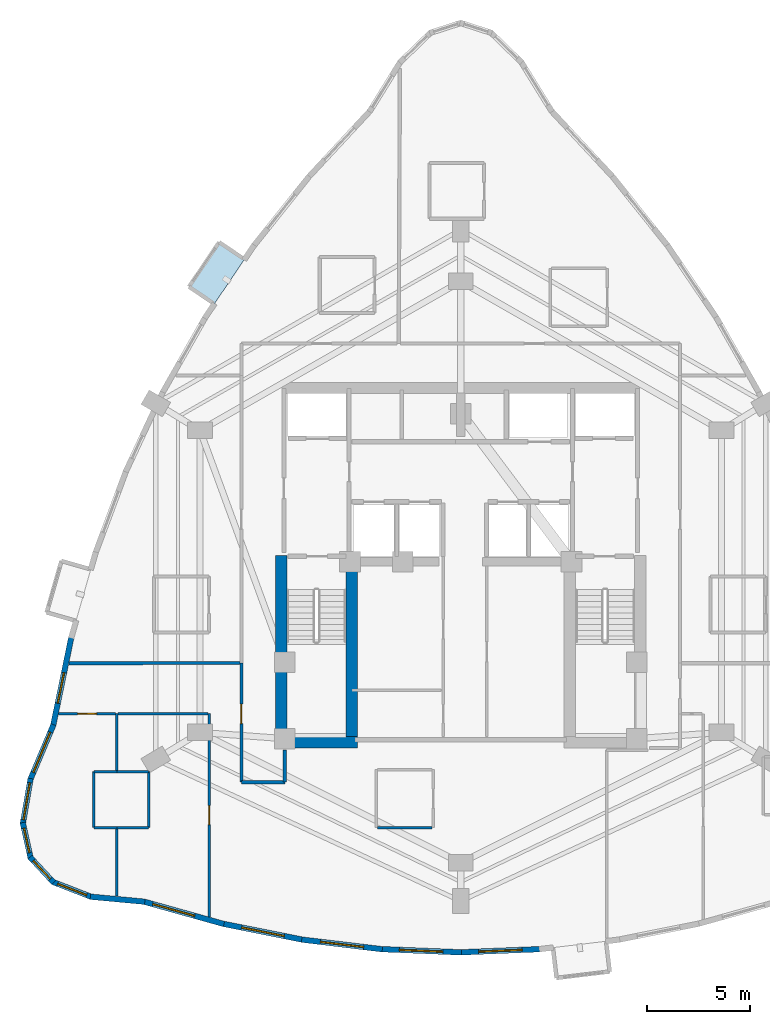
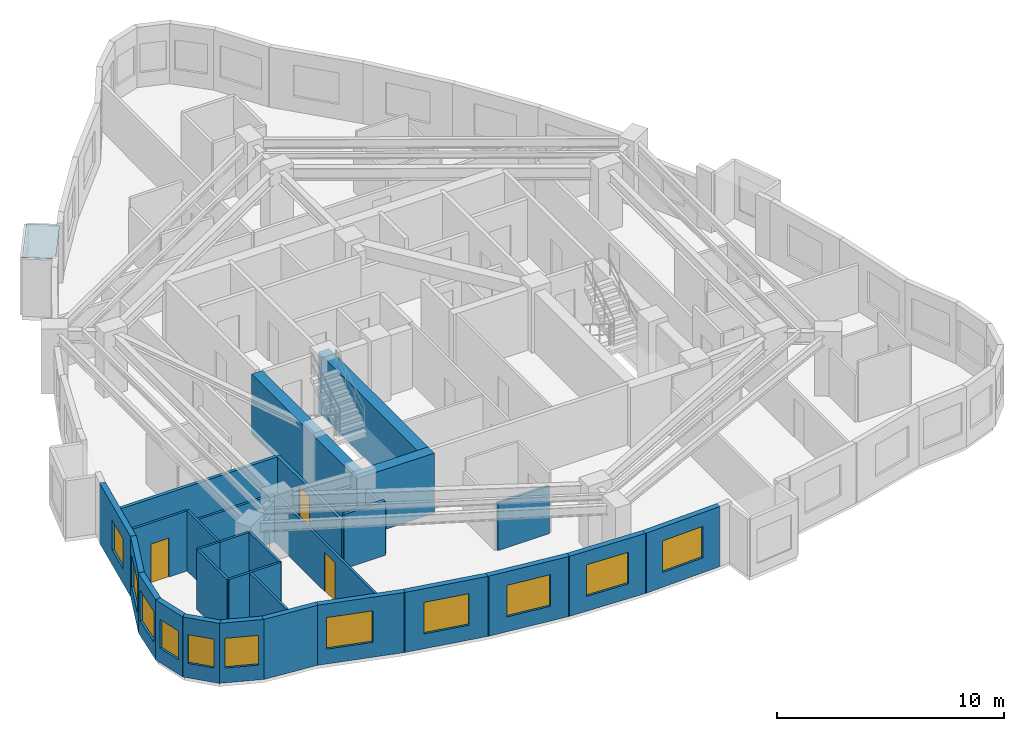
# One storey, part 4 of 10: 31 walls, 11 windows, 3 doors, 1 plate, 14 openings.
"""IFC4 building model written with IfcOpenShell, lengths in metres."""

from ifc_helpers import new_model, si_unit, direction, frame, frame_2d, origin, place, context, subcontext, project, spatial, polyline, rectangle, outline, extrude, material, layer, layer_set, type_object, element, fill, save


model = new_model("IFC4")

# Units and contexts
model_context = context("Model", 3, precision=1e-05, world=origin(), true_north=direction((0.0, 1.0)))
body_context = subcontext(model_context, "Body", "Model", "MODEL_VIEW")
ifc_project = project(units=[si_unit("LENGTHUNIT", "METRE"), si_unit("AREAUNIT", "SQUARE_METRE"), si_unit("VOLUMEUNIT", "CUBIC_METRE"), si_unit("PLANEANGLEUNIT", "RADIAN"), si_unit("MASSUNIT", "GRAM", prefix="KILO")], contexts=[model_context])

# Site, building, storey
site_placement = place(None, origin())
site = spatial("IfcSite", under=ifc_project, at=site_placement, CompositionType="ELEMENT")
building_placement = place(site_placement, origin())
building = spatial("IfcBuilding", under=site, at=building_placement, Name="Miruveldt Soraemaru", CompositionType="ELEMENT")
storey_placement = place(building_placement, frame((0.0, 0.0, 173.89990234375)))
storey = spatial("IfcBuildingStorey", under=building, at=storey_placement, Name="L48", CompositionType="ELEMENT", Elevation=173.89990234375)

# Plate
ifc_material_1 = material(Name="Standing-seam titanium-zinc sheet", Category="aluminium")
ifc_layer_1 = layer(ifc_material_1, 0.011962890625, Name="Standing-seam titanium-zinc sheet", Category="aluminium")
ifc_layer_set_1 = layer_set([ifc_layer_1], Name="Standing-seam titanium-zinc sheet")
plate_type = type_object("IfcPlateType", Name="PLT-ZINC-12", PredefinedType="SHEET", material=ifc_layer_set_1)
plate_placement = place(storey_placement, frame((0.0, 0.0, 3.085205078125)))
element("IfcPlate", 1, at=plate_placement, inside=storey, type_object=plate_type, Name="L48 Bay Window Zinc Hood Sheet 1", PredefinedType="SHEET", context=body_context, shape_type="SweptSolid", body=[
    extrude(outline(polyline([(33.548583984375, 58.6650390625), (32.090087890625, 56.512451171875), (30.864990234375, 57.342529296875), (32.3232421875, 59.4951171875), (33.548583984375, 58.6650390625)])), origin(), (0.0, 0.0, 1.0), 0.011962890625),
])

# Walls
ifc_material_2 = material(Name="Concrete C70/85 (70 MPa)", Category="concrete")
ifc_layer_2 = layer(ifc_material_2, 0.550048828125, Name="Concrete C70/85 (70 MPa)", Category="concrete")
ifc_layer_set_2 = layer_set([ifc_layer_2], Name="Concrete C70/85 (70 MPa)")
wall_type_1 = type_object("IfcWallType", Name="WALL-CW-550", PredefinedType="SHEAR", material=ifc_layer_set_2)
wall_1_placement = place(storey_placement, frame((35.050048828125, 35.324951171875, 0.0), z_axis=(0.0, 0.0, 1.0), x_axis=(1.0, 0.0, 0.0)))
element("IfcWall", 2, at=wall_1_placement, inside=storey, type_object=wall_type_1, Name="L48 Central Core Shear Wall S1", PredefinedType="SHEAR", context=body_context, shape_type="SweptSolid", body=[
    extrude(rectangle(XDim=3.949951171875, YDim=0.550048828125, at=frame_2d((1.97509765625, 0.0))), origin(), (0.0, 0.0, 1.0), 3.235107421875),
])
wall_2_placement = place(storey_placement, frame((35.324951171875, 35.050048828125, 0.0), z_axis=(0.0, 0.0, 1.0), x_axis=(0.0, 1.0, 0.0)))
element("IfcWall", 3, at=wall_2_placement, inside=storey, type_object=wall_type_1, Name="L48 Central Core Shear Wall W1", PredefinedType="SHEAR", context=body_context, shape_type="SweptSolid", body=[
    extrude(rectangle(XDim=9.300048828125, YDim=0.550048828125, at=frame_2d((4.64990234375, 0.0))), origin(), (0.0, 0.0, 1.0), 3.235107421875),
])
wall_3_placement = place(storey_placement, frame((38.72509765625, 35.39990234375, 0.0), z_axis=(0.0, 0.0, 1.0), x_axis=(0.0, 1.0, 0.0)))
element("IfcWall", 4, at=wall_3_placement, inside=storey, type_object=wall_type_1, Name="L48 Central Core Shear Wall SW-INT", PredefinedType="SHEAR", context=body_context, shape_type="SweptSolid", body=[
    extrude(rectangle(XDim=8.9501953125, YDim=0.550048828125, at=frame_2d((4.47509765625, 0.0))), origin(), (0.0, 0.0, 1.0), 3.235107421875),
])

# Wall, opening, window
ifc_material_3 = material(Name="Precast concrete C45/55 (45 MPa)", Category="concrete")
ifc_layer_3 = layer(ifc_material_3, 0.27001953125, Name="Precast concrete C45/55 (45 MPa)", Category="concrete")
ifc_layer_set_3 = layer_set([ifc_layer_3], Name="Precast concrete C45/55 (45 MPa)")
wall_type_2 = type_object("IfcWallType", Name="WALL-EXT-PC270", PredefinedType="SOLIDWALL", material=ifc_layer_set_3)
wall_4_placement = place(storey_placement, frame((25.18310546875, 40.4267578125, 0.0), z_axis=(0.0, 0.0, 1.0), x_axis=(-0.20160132196, -0.979467665104, 0.0)))
wall_4 = element("IfcWall", 5, at=wall_4_placement, inside=storey, type_object=wall_type_2, Name="L48 Precast Concrete Facade Wall 14", PredefinedType="SOLIDWALL", context=body_context, shape_type="SweptSolid", body=[
    extrude(rectangle(XDim=4.40576171875, YDim=0.27001953125, at=frame_2d((2.202880859375, 0.0))), origin(), (0.0, 0.0, 1.0), 3.235107421875),
])
opening_1_placement = place(wall_4_placement, frame((1.77587890625, 0.0, 0.800048828125)))
opening_1 = element("IfcOpeningElement", 6, at=opening_1_placement, cuts=wall_4, Name="Opening WN-3", PredefinedType="OPENING", context=body_context, shape_type="SweptSolid", body=[
    extrude(rectangle(XDim=1.5, YDim=1.60009765625, at=frame_2d((0.75, 0.800048828125))), frame((0.0, 0.14501953125, 0.0), z_axis=(0.0, -1.0, 0.0), x_axis=(1.0, 0.0, 0.0)), (0.0, 0.0, 1.0), 0.2900390625),
])
ifc_material_4 = material(Name="Triple low-e insulated glazing", Category="glass")
window_type_1 = type_object("IfcWindowType", Name="WIN-PUNCH-1500x1600", PartitioningType="SINGLE_PANEL", PredefinedType="WINDOW", material=ifc_material_4)
window_1_placement = place(opening_1_placement, origin())
window_1 = element("IfcWindow", 7, at=window_1_placement, inside=storey, type_object=window_type_1, Name="L48 Punched Triple-Glazed Window 14.1", OverallHeight=1.60009765625, OverallWidth=1.5, PartitioningType="SINGLE_PANEL", PredefinedType="WINDOW", context=body_context, shape_type="SweptSolid", body=[
    extrude(rectangle(XDim=1.5, YDim=1.60009765625, at=frame_2d((0.75, 0.800048828125))), frame((0.0, 0.030029296875, 0.0), z_axis=(0.0, -1.0, 0.0), x_axis=(1.0, 0.0, 0.0)), (0.0, 0.0, 1.0), 0.06005859375),
])
fill(opening_1, window_1)

wall_5_placement = place(storey_placement, frame((24.315673828125, 36.177978515625, 0.0), z_axis=(0.0, 0.0, 1.0), x_axis=(-0.388603247953, -0.921405185399, 0.0)))
wall_5 = element("IfcWall", 8, at=wall_5_placement, inside=storey, type_object=wall_type_2, Name="L48 Precast Concrete Facade Wall 15", PredefinedType="SOLIDWALL", context=body_context, shape_type="SweptSolid", body=[
    extrude(rectangle(XDim=2.89697265625, YDim=0.27001953125, at=frame_2d((1.448486328125, 0.0))), origin(), (0.0, 0.0, 1.0), 3.235107421875),
])
opening_2_placement = place(wall_5_placement, frame((0.39892578125, 0.0, 0.800048828125)))
opening_2 = element("IfcOpeningElement", 9, at=opening_2_placement, cuts=wall_5, Name="Opening WN-1", PredefinedType="OPENING", context=body_context, shape_type="SweptSolid", body=[
    extrude(rectangle(XDim=2.10009765625, YDim=1.699951171875, at=frame_2d((1.050048828125, 0.85009765625))), frame((0.0, 0.14501953125, 0.0), z_axis=(0.0, -1.0, 0.0), x_axis=(1.0, 0.0, 0.0)), (0.0, 0.0, 1.0), 0.2900390625),
])
window_type_2 = type_object("IfcWindowType", Name="WIN-PUNCH-2100x1700", PartitioningType="SINGLE_PANEL", PredefinedType="WINDOW", material=ifc_material_4)
window_2_placement = place(opening_2_placement, origin())
window_2 = element("IfcWindow", 10, at=window_2_placement, inside=storey, type_object=window_type_2, Name="L48 Punched Triple-Glazed Window 15.1", OverallHeight=1.699951171875, OverallWidth=2.10009765625, PartitioningType="SINGLE_PANEL", PredefinedType="WINDOW", context=body_context, shape_type="SweptSolid", body=[
    extrude(rectangle(XDim=2.10009765625, YDim=1.699951171875, at=frame_2d((1.050048828125, 0.85009765625))), frame((0.0, 0.030029296875, 0.0), z_axis=(0.0, -1.0, 0.0), x_axis=(1.0, 0.0, 0.0)), (0.0, 0.0, 1.0), 0.06005859375),
])
fill(opening_2, window_2)

wall_6_placement = place(storey_placement, frame((23.20947265625, 33.57568359375, 0.0), z_axis=(0.0, 0.0, 1.0), x_axis=(-0.169397854445, -0.985547749685, 0.0)))
wall_6 = element("IfcWall", 11, at=wall_6_placement, inside=storey, type_object=wall_type_2, Name="L48 Precast Concrete Facade Wall 16", PredefinedType="SOLIDWALL", context=body_context, shape_type="SweptSolid", body=[
    extrude(rectangle(XDim=2.232421875, YDim=0.27001953125, at=frame_2d((1.1162109375, 0.0))), origin(), (0.0, 0.0, 1.0), 3.235107421875),
])
opening_3_placement = place(wall_6_placement, frame((0.216064453125, 0.0, 0.800048828125)))
opening_3 = element("IfcOpeningElement", 12, at=opening_3_placement, cuts=wall_6, Name="Opening WN-2", PredefinedType="OPENING", context=body_context, shape_type="SweptSolid", body=[
    extrude(rectangle(XDim=1.800048828125, YDim=1.64990234375, at=frame_2d((0.89990234375, 0.824951171875))), frame((0.0, 0.14501953125, 0.0), z_axis=(0.0, -1.0, 0.0), x_axis=(1.0, 0.0, 0.0)), (0.0, 0.0, 1.0), 0.2900390625),
])
window_type_3 = type_object("IfcWindowType", Name="WIN-PUNCH-1800x1650", PartitioningType="SINGLE_PANEL", PredefinedType="WINDOW", material=ifc_material_4)
window_3_placement = place(opening_3_placement, origin())
window_3 = element("IfcWindow", 13, at=window_3_placement, inside=storey, type_object=window_type_3, Name="L48 Punched Triple-Glazed Window 16.1", OverallHeight=1.64990234375, OverallWidth=1.800048828125, PartitioningType="SINGLE_PANEL", PredefinedType="WINDOW", context=body_context, shape_type="SweptSolid", body=[
    extrude(rectangle(XDim=1.800048828125, YDim=1.64990234375, at=frame_2d((0.89990234375, 0.824951171875))), frame((0.0, 0.030029296875, 0.0), z_axis=(0.0, -1.0, 0.0), x_axis=(1.0, 0.0, 0.0)), (0.0, 0.0, 1.0), 0.06005859375),
])
fill(opening_3, window_3)

wall_7_placement = place(storey_placement, frame((22.82958984375, 31.444091796875, 0.0), z_axis=(0.0, 0.0, 1.0), x_axis=(0.215862834364, -0.976423697347, 0.0)))
wall_7 = element("IfcWall", 14, at=wall_7_placement, inside=storey, type_object=wall_type_2, Name="L48 Precast Concrete Facade Wall 17", PredefinedType="SOLIDWALL", context=body_context, shape_type="SweptSolid", body=[
    extrude(rectangle(XDim=1.767822265625, YDim=0.27001953125, at=frame_2d((0.8837890625, 0.0))), origin(), (0.0, 0.0, 1.0), 3.235107421875),
])
opening_4_placement = place(wall_7_placement, frame((0.283935546875, 0.0, 0.780029296875)))
opening_4 = element("IfcOpeningElement", 15, at=opening_4_placement, cuts=wall_7, Name="Opening WN-4", PredefinedType="OPENING", context=body_context, shape_type="SweptSolid", body=[
    extrude(rectangle(XDim=1.199951171875, YDim=1.550048828125, at=frame_2d((0.60009765625, 0.77490234375))), frame((0.0, 0.14501953125, 0.0), z_axis=(0.0, -1.0, 0.0), x_axis=(1.0, 0.0, 0.0)), (0.0, 0.0, 1.0), 0.2900390625),
])
window_type_4 = type_object("IfcWindowType", Name="WIN-PUNCH-1200x1550", PartitioningType="SINGLE_PANEL", PredefinedType="WINDOW", material=ifc_material_4)
window_4_placement = place(opening_4_placement, origin())
window_4 = element("IfcWindow", 16, at=window_4_placement, inside=storey, type_object=window_type_4, Name="L48 Punched Triple-Glazed Window 17.1", OverallHeight=1.550048828125, OverallWidth=1.199951171875, PartitioningType="SINGLE_PANEL", PredefinedType="WINDOW", context=body_context, shape_type="SweptSolid", body=[
    extrude(rectangle(XDim=1.199951171875, YDim=1.550048828125, at=frame_2d((0.60009765625, 0.77490234375))), frame((0.0, 0.030029296875, 0.0), z_axis=(0.0, -1.0, 0.0), x_axis=(1.0, 0.0, 0.0)), (0.0, 0.0, 1.0), 0.06005859375),
])
fill(opening_4, window_4)

wall_8_placement = place(storey_placement, frame((23.1796875, 29.778076171875, 0.0), z_axis=(0.0, 0.0, 1.0), x_axis=(0.68010098508, -0.733118442064, 0.0)))
wall_8 = element("IfcWall", 17, at=wall_8_placement, inside=storey, type_object=wall_type_2, Name="L48 Precast Concrete Facade Wall 18", PredefinedType="SOLIDWALL", context=body_context, shape_type="SweptSolid", body=[
    extrude(rectangle(XDim=1.685302734375, YDim=0.27001953125, at=frame_2d((0.8427734375, 0.0))), origin(), (0.0, 0.0, 1.0), 3.235107421875),
])
opening_5_placement = place(wall_8_placement, frame((0.241943359375, 0.0, 0.780029296875)))
opening_5 = element("IfcOpeningElement", 18, at=opening_5_placement, cuts=wall_8, Name="Opening WN-4", PredefinedType="OPENING", context=body_context, shape_type="SweptSolid", body=[
    extrude(rectangle(XDim=1.199951171875, YDim=1.550048828125, at=frame_2d((0.60009765625, 0.77490234375))), frame((0.0, 0.14501953125, 0.0), z_axis=(0.0, -1.0, 0.0), x_axis=(1.0, 0.0, 0.0)), (0.0, 0.0, 1.0), 0.2900390625),
])
window_5_placement = place(opening_5_placement, origin())
window_5 = element("IfcWindow", 19, at=window_5_placement, inside=storey, type_object=window_type_4, Name="L48 Punched Triple-Glazed Window 18.1", OverallHeight=1.550048828125, OverallWidth=1.199951171875, PartitioningType="SINGLE_PANEL", PredefinedType="WINDOW", context=body_context, shape_type="SweptSolid", body=[
    extrude(rectangle(XDim=1.199951171875, YDim=1.550048828125, at=frame_2d((0.60009765625, 0.77490234375))), frame((0.0, 0.030029296875, 0.0), z_axis=(0.0, -1.0, 0.0), x_axis=(1.0, 0.0, 0.0)), (0.0, 0.0, 1.0), 0.06005859375),
])
fill(opening_5, window_5)

wall_9_placement = place(storey_placement, frame((24.26953125, 28.5810546875, 0.0), z_axis=(0.0, 0.0, 1.0), x_axis=(0.932267974852, -0.361768466101, 0.0)))
wall_9 = element("IfcWall", 20, at=wall_9_placement, inside=storey, type_object=wall_type_2, Name="L48 Precast Concrete Facade Wall 19", PredefinedType="SOLIDWALL", context=body_context, shape_type="SweptSolid", body=[
    extrude(rectangle(XDim=2.033935546875, YDim=0.27001953125, at=frame_2d((1.01708984375, 0.0))), origin(), (0.0, 0.0, 1.0), 3.235107421875),
])
opening_6_placement = place(wall_9_placement, frame((0.26708984375, 0.0, 0.800048828125)))
opening_6 = element("IfcOpeningElement", 21, at=opening_6_placement, cuts=wall_9, Name="Opening WN-3", PredefinedType="OPENING", context=body_context, shape_type="SweptSolid", body=[
    extrude(rectangle(XDim=1.5, YDim=1.60009765625, at=frame_2d((0.75, 0.800048828125))), frame((0.0, 0.14501953125, 0.0), z_axis=(0.0, -1.0, 0.0), x_axis=(1.0, 0.0, 0.0)), (0.0, 0.0, 1.0), 0.2900390625),
])
window_6_placement = place(opening_6_placement, origin())
window_6 = element("IfcWindow", 22, at=window_6_placement, inside=storey, type_object=window_type_1, Name="L48 Punched Triple-Glazed Window 19.1", OverallHeight=1.60009765625, OverallWidth=1.5, PartitioningType="SINGLE_PANEL", PredefinedType="WINDOW", context=body_context, shape_type="SweptSolid", body=[
    extrude(rectangle(XDim=1.5, YDim=1.60009765625, at=frame_2d((0.75, 0.800048828125))), frame((0.0, 0.030029296875, 0.0), z_axis=(0.0, -1.0, 0.0), x_axis=(1.0, 0.0, 0.0)), (0.0, 0.0, 1.0), 0.06005859375),
])
fill(opening_6, window_6)

# Wall
wall_10_placement = place(storey_placement, frame((26.09814453125, 27.861083984375, 0.0), z_axis=(0.0, 0.0, 1.0), x_axis=(0.995763558501, -0.091950723555, 0.0)))
element("IfcWall", 23, at=wall_10_placement, inside=storey, type_object=wall_type_2, Name="L48 Precast Concrete Facade Wall 20", PredefinedType="SOLIDWALL", context=body_context, shape_type="SweptSolid", body=[
    extrude(rectangle(XDim=2.64453125, YDim=0.27001953125, at=frame_2d((1.322265625, 0.0))), origin(), (0.0, 0.0, 1.0), 3.235107421875),
])

# Wall, opening, window
wall_11_placement = place(storey_placement, frame((28.662841796875, 27.630615234375, 0.0), z_axis=(0.0, 0.0, 1.0), x_axis=(0.962966528266, -0.269620966245, 0.0)))
wall_11 = element("IfcWall", 24, at=wall_11_placement, inside=storey, type_object=wall_type_2, Name="L48 Precast Concrete Facade Wall 21", PredefinedType="SOLIDWALL", context=body_context, shape_type="SweptSolid", body=[
    extrude(rectangle(XDim=4.04296875, YDim=0.27001953125, at=frame_2d((2.021484375, 0.0))), origin(), (0.0, 0.0, 1.0), 3.235107421875),
])
opening_7_placement = place(wall_11_placement, frame((0.467041015625, 0.0, 0.800048828125)))
opening_7 = element("IfcOpeningElement", 25, at=opening_7_placement, cuts=wall_11, Name="Opening WN-1", PredefinedType="OPENING", context=body_context, shape_type="SweptSolid", body=[
    extrude(rectangle(XDim=2.10009765625, YDim=1.699951171875, at=frame_2d((1.050048828125, 0.85009765625))), frame((0.0, 0.14501953125, 0.0), z_axis=(0.0, -1.0, 0.0), x_axis=(1.0, 0.0, 0.0)), (0.0, 0.0, 1.0), 0.2900390625),
])
window_7_placement = place(opening_7_placement, origin())
window_7 = element("IfcWindow", 26, at=window_7_placement, inside=storey, type_object=window_type_2, Name="L48 Punched Triple-Glazed Window 21.1", OverallHeight=1.699951171875, OverallWidth=2.10009765625, PartitioningType="SINGLE_PANEL", PredefinedType="WINDOW", context=body_context, shape_type="SweptSolid", body=[
    extrude(rectangle(XDim=2.10009765625, YDim=1.699951171875, at=frame_2d((1.050048828125, 0.85009765625))), frame((0.0, 0.030029296875, 0.0), z_axis=(0.0, -1.0, 0.0), x_axis=(1.0, 0.0, 0.0)), (0.0, 0.0, 1.0), 0.06005859375),
])
fill(opening_7, window_7)

wall_12_placement = place(storey_placement, frame((32.488037109375, 26.556884765625, 0.0), z_axis=(0.0, 0.0, 1.0), x_axis=(0.980573582327, -0.196151598621, 0.0)))
wall_12 = element("IfcWall", 27, at=wall_12_placement, inside=storey, type_object=wall_type_2, Name="L48 Precast Concrete Facade Wall 22", PredefinedType="SOLIDWALL", context=body_context, shape_type="SweptSolid", body=[
    extrude(rectangle(XDim=3.9716796875, YDim=0.27001953125, at=frame_2d((1.98583984375, 0.0))), origin(), (0.0, 0.0, 1.0), 3.235107421875),
])
opening_8_placement = place(wall_12_placement, frame((0.93603515625, 0.0, 0.800048828125)))
opening_8 = element("IfcOpeningElement", 28, at=opening_8_placement, cuts=wall_12, Name="Opening WN-1", PredefinedType="OPENING", context=body_context, shape_type="SweptSolid", body=[
    extrude(rectangle(XDim=2.10009765625, YDim=1.699951171875, at=frame_2d((1.050048828125, 0.85009765625))), frame((0.0, 0.14501953125, 0.0), z_axis=(0.0, -1.0, 0.0), x_axis=(1.0, 0.0, 0.0)), (0.0, 0.0, 1.0), 0.2900390625),
])
window_8_placement = place(opening_8_placement, origin())
window_8 = element("IfcWindow", 29, at=window_8_placement, inside=storey, type_object=window_type_2, Name="L48 Punched Triple-Glazed Window 22.1", OverallHeight=1.699951171875, OverallWidth=2.10009765625, PartitioningType="SINGLE_PANEL", PredefinedType="WINDOW", context=body_context, shape_type="SweptSolid", body=[
    extrude(rectangle(XDim=2.10009765625, YDim=1.699951171875, at=frame_2d((1.050048828125, 0.85009765625))), frame((0.0, 0.030029296875, 0.0), z_axis=(0.0, -1.0, 0.0), x_axis=(1.0, 0.0, 0.0)), (0.0, 0.0, 1.0), 0.06005859375),
])
fill(opening_8, window_8)

wall_13_placement = place(storey_placement, frame((36.3134765625, 25.788818359375, 0.0), z_axis=(0.0, 0.0, 1.0), x_axis=(0.992874777232, -0.11916239649, 0.0)))
wall_13 = element("IfcWall", 30, at=wall_13_placement, inside=storey, type_object=wall_type_2, Name="L48 Precast Concrete Facade Wall 23", PredefinedType="SOLIDWALL", context=body_context, shape_type="SweptSolid", body=[
    extrude(rectangle(XDim=3.923583984375, YDim=0.27001953125, at=frame_2d((1.9619140625, 0.0))), origin(), (0.0, 0.0, 1.0), 3.235107421875),
])
opening_9_placement = place(wall_13_placement, frame((0.910888671875, 0.0, 0.800048828125)))
opening_9 = element("IfcOpeningElement", 31, at=opening_9_placement, cuts=wall_13, Name="Opening WN-1", PredefinedType="OPENING", context=body_context, shape_type="SweptSolid", body=[
    extrude(rectangle(XDim=2.10009765625, YDim=1.699951171875, at=frame_2d((1.050048828125, 0.85009765625))), frame((0.0, 0.14501953125, 0.0), z_axis=(0.0, -1.0, 0.0), x_axis=(1.0, 0.0, 0.0)), (0.0, 0.0, 1.0), 0.2900390625),
])
window_9_placement = place(opening_9_placement, origin())
window_9 = element("IfcWindow", 32, at=window_9_placement, inside=storey, type_object=window_type_2, Name="L48 Punched Triple-Glazed Window 23.1", OverallHeight=1.699951171875, OverallWidth=2.10009765625, PartitioningType="SINGLE_PANEL", PredefinedType="WINDOW", context=body_context, shape_type="SweptSolid", body=[
    extrude(rectangle(XDim=2.10009765625, YDim=1.699951171875, at=frame_2d((1.050048828125, 0.85009765625))), frame((0.0, 0.030029296875, 0.0), z_axis=(0.0, -1.0, 0.0), x_axis=(1.0, 0.0, 0.0)), (0.0, 0.0, 1.0), 0.06005859375),
])
fill(opening_9, window_9)

wall_14_placement = place(storey_placement, frame((40.13916015625, 25.326904296875, 0.0), z_axis=(0.0, 0.0, 1.0), x_axis=(0.999201658774, -0.039950533202, 0.0)))
wall_14 = element("IfcWall", 33, at=wall_14_placement, inside=storey, type_object=wall_type_2, Name="L48 Precast Concrete Facade Wall 24", PredefinedType="SOLIDWALL", context=body_context, shape_type="SweptSolid", body=[
    extrude(rectangle(XDim=3.89892578125, YDim=0.27001953125, at=frame_2d((1.949462890625, 0.0))), origin(), (0.0, 0.0, 1.0), 3.235107421875),
])
opening_10_placement = place(wall_14_placement, frame((0.89892578125, 0.0, 0.800048828125)))
opening_10 = element("IfcOpeningElement", 34, at=opening_10_placement, cuts=wall_14, Name="Opening WN-1", PredefinedType="OPENING", context=body_context, shape_type="SweptSolid", body=[
    extrude(rectangle(XDim=2.10009765625, YDim=1.699951171875, at=frame_2d((1.050048828125, 0.85009765625))), frame((0.0, 0.14501953125, 0.0), z_axis=(0.0, -1.0, 0.0), x_axis=(1.0, 0.0, 0.0)), (0.0, 0.0, 1.0), 0.2900390625),
])
window_10_placement = place(opening_10_placement, origin())
window_10 = element("IfcWindow", 35, at=window_10_placement, inside=storey, type_object=window_type_2, Name="L48 Punched Triple-Glazed Window 24.1", OverallHeight=1.699951171875, OverallWidth=2.10009765625, PartitioningType="SINGLE_PANEL", PredefinedType="WINDOW", context=body_context, shape_type="SweptSolid", body=[
    extrude(rectangle(XDim=2.10009765625, YDim=1.699951171875, at=frame_2d((1.050048828125, 0.85009765625))), frame((0.0, 0.030029296875, 0.0), z_axis=(0.0, -1.0, 0.0), x_axis=(1.0, 0.0, 0.0)), (0.0, 0.0, 1.0), 0.06005859375),
])
fill(opening_10, window_10)

wall_15_placement = place(storey_placement, frame((43.965087890625, 25.171142578125, 0.0), z_axis=(0.0, 0.0, 1.0), x_axis=(0.999201658774, 0.039950533202, 0.0)))
wall_15 = element("IfcWall", 36, at=wall_15_placement, inside=storey, type_object=wall_type_2, Name="L48 Precast Concrete Facade Wall 25", PredefinedType="SOLIDWALL", context=body_context, shape_type="SweptSolid", body=[
    extrude(rectangle(XDim=3.89892578125, YDim=0.27001953125, at=frame_2d((1.949462890625, 0.0))), origin(), (0.0, 0.0, 1.0), 3.235107421875),
])
opening_11_placement = place(wall_15_placement, frame((0.89892578125, 0.0, 0.800048828125)))
opening_11 = element("IfcOpeningElement", 37, at=opening_11_placement, cuts=wall_15, Name="Opening WN-1", PredefinedType="OPENING", context=body_context, shape_type="SweptSolid", body=[
    extrude(rectangle(XDim=2.10009765625, YDim=1.699951171875, at=frame_2d((1.050048828125, 0.85009765625))), frame((0.0, 0.14501953125, 0.0), z_axis=(0.0, -1.0, 0.0), x_axis=(1.0, 0.0, 0.0)), (0.0, 0.0, 1.0), 0.2900390625),
])
window_11_placement = place(opening_11_placement, origin())
window_11 = element("IfcWindow", 38, at=window_11_placement, inside=storey, type_object=window_type_2, Name="L48 Punched Triple-Glazed Window 25.1", OverallHeight=1.699951171875, OverallWidth=2.10009765625, PartitioningType="SINGLE_PANEL", PredefinedType="WINDOW", context=body_context, shape_type="SweptSolid", body=[
    extrude(rectangle(XDim=2.10009765625, YDim=1.699951171875, at=frame_2d((1.050048828125, 0.85009765625))), frame((0.0, 0.030029296875, 0.0), z_axis=(0.0, -1.0, 0.0), x_axis=(1.0, 0.0, 0.0)), (0.0, 0.0, 1.0), 0.06005859375),
])
fill(opening_11, window_11)

# Wall, opening, door
ifc_material_5 = material(Name="Gypsum plasterboard lining", Category="gypsum")
ifc_layer_4 = layer(ifc_material_5, 0.1201171875, Name="Gypsum plasterboard lining", Category="gypsum")
ifc_layer_set_4 = layer_set([ifc_layer_4], Name="Gypsum plasterboard lining")
wall_type_3 = type_object("IfcWallType", Name="WALL-INT-P120", PredefinedType="PARTITIONING", material=ifc_layer_set_4)
wall_16_placement = place(storey_placement, frame((31.8369140625, 36.7109375, 0.0), z_axis=(0.0, 0.0, 1.0), x_axis=(0.001939426458, -0.999998119311, 0.0)))
wall_16 = element("IfcWall", 39, at=wall_16_placement, inside=storey, type_object=wall_type_3, Name="L48 Partition Wall 32", PredefinedType="PARTITIONING", context=body_context, shape_type="SweptSolid", body=[
    extrude(rectangle(XDim=9.81884765625, YDim=0.1201171875, at=frame_2d((4.909423828125, 0.0))), origin(), (0.0, 0.0, 1.0), 2.572998046875),
])
opening_12_placement = place(wall_16_placement, frame((4.449951171875, 0.0, 0.0)))
opening_12 = element("IfcOpeningElement", 40, at=opening_12_placement, cuts=wall_16, Name="Opening D3A", PredefinedType="OPENING", context=body_context, shape_type="SweptSolid", body=[
    extrude(rectangle(XDim=0.919921875, YDim=2.10009765625, at=frame_2d((0.4599609375, 1.050048828125))), frame((0.0, 0.070068359375, 0.0), z_axis=(0.0, -1.0, 0.0), x_axis=(1.0, 0.0, 0.0)), (0.0, 0.0, 1.0), 0.14013671875),
])
ifc_material_6 = material(Name="Anodised aluminium EN AW-6063 T6", Category="aluminium")
door_type_1 = type_object("IfcDoorType", Name="DOOR-INT-920", OperationType="NOTDEFINED", PredefinedType="DOOR", material=ifc_material_6)
door_1_placement = place(opening_12_placement, origin())
door_1 = element("IfcDoor", 41, at=door_1_placement, inside=storey, type_object=door_type_1, Name="L48 Unit 4803 BD2 Door", OperationType="SINGLE_SWING_RIGHT", OverallHeight=2.10009765625, OverallWidth=0.919921875, PredefinedType="DOOR", context=body_context, shape_type="SweptSolid", body=[
    extrude(rectangle(XDim=0.919921875, YDim=2.10009765625, at=frame_2d((0.4599609375, 1.050048828125))), frame((0.0, 0.02490234375, 0.0), z_axis=(0.0, -1.0, 0.0), x_axis=(1.0, 0.0, 0.0)), (0.0, 0.0, 1.0), 0.050048828125),
])
fill(opening_12, door_1)

wall_17_placement = place(storey_placement, frame((24.569091796875, 36.697021484375, 0.0), z_axis=(0.0, 0.0, 1.0), x_axis=(0.999987187479, 0.005062102104, 0.0)))
wall_17 = element("IfcWall", 42, at=wall_17_placement, inside=storey, type_object=wall_type_3, Name="L48 Partition Wall 30", PredefinedType="PARTITIONING", context=body_context, shape_type="SweptSolid", body=[
    extrude(rectangle(XDim=2.7490234375, YDim=0.1201171875, at=frame_2d((1.37451171875, 0.0))), origin(), (0.0, 0.0, 1.0), 3.235107421875),
])
opening_13_placement = place(wall_17_placement, frame((0.9150390625, 0.0, 0.0)))
opening_13 = element("IfcOpeningElement", 43, at=opening_13_placement, cuts=wall_17, Name="Opening D3A", PredefinedType="OPENING", context=body_context, shape_type="SweptSolid", body=[
    extrude(rectangle(XDim=0.919921875, YDim=2.10009765625, at=frame_2d((0.4599609375, 1.050048828125))), frame((0.0, 0.070068359375, 0.0), z_axis=(0.0, -1.0, 0.0), x_axis=(1.0, 0.0, 0.0)), (0.0, 0.0, 1.0), 0.14013671875),
])
door_2_placement = place(opening_13_placement, origin())
door_2 = element("IfcDoor", 44, at=door_2_placement, inside=storey, type_object=door_type_1, Name="L48 Unit 4803 BD1 Door", OperationType="SINGLE_SWING_LEFT", OverallHeight=2.10009765625, OverallWidth=0.919921875, PredefinedType="DOOR", context=body_context, shape_type="SweptSolid", body=[
    extrude(rectangle(XDim=0.919921875, YDim=2.10009765625, at=frame_2d((0.4599609375, 1.050048828125))), frame((0.0, 0.02490234375, 0.0), z_axis=(0.0, -1.0, 0.0), x_axis=(1.0, 0.0, 0.0)), (0.0, 0.0, 1.0), 0.050048828125),
])
fill(opening_13, door_2)

# Walls
wall_18_placement = place(storey_placement, frame((27.43798828125, 36.7109375, 0.0), z_axis=(0.0, 0.0, 1.0), x_axis=(1.0, 0.0, 0.0)))
element("IfcWall", 45, at=wall_18_placement, inside=storey, type_object=wall_type_3, Name="L48 Partition Wall 31", PredefinedType="PARTITIONING", context=body_context, shape_type="SweptSolid", body=[
    extrude(rectangle(XDim=4.339111328125, YDim=0.1201171875, at=frame_2d((2.16943359375, 0.0))), origin(), (0.0, 0.0, 1.0), 2.572998046875),
])
wall_19_placement = place(storey_placement, frame((27.384033203125, 27.89306640625, 0.0), z_axis=(0.0, 0.0, 1.0), x_axis=(-0.001842839271, 0.99999830197, 0.0)))
element("IfcWall", 46, at=wall_19_placement, inside=storey, type_object=wall_type_3, Name="L48 Partition Wall 34", PredefinedType="PARTITIONING", context=body_context, shape_type="SweptSolid", body=[
    extrude(rectangle(XDim=3.31201171875, YDim=0.1201171875, at=frame_2d((1.656005859375, 0.0))), origin(), (0.0, 0.0, 1.0), 3.235107421875),
])
wall_20_placement = place(storey_placement, frame((27.3779296875, 33.905029296875, 0.0), z_axis=(0.0, 0.0, 1.0), x_axis=(0.0, 1.0, 0.0)))
element("IfcWall", 47, at=wall_20_placement, inside=storey, type_object=wall_type_3, Name="L48 Partition Wall 35", PredefinedType="PARTITIONING", context=body_context, shape_type="SweptSolid", body=[
    extrude(rectangle(XDim=2.805908203125, YDim=0.1201171875, at=frame_2d((1.40283203125, 0.0))), origin(), (0.0, 0.0, 1.0), 3.235107421875),
])
for number, where, z_axis, x_axis, name in (
    (48, (26.26708984375, 33.905029296875, 0.0), (0.0, 0.0, 1.0), (0.0, -1.0, 0.0), "L48 Partition Wall 54"),
    (49, (28.9169921875, 31.205078125, 0.0), (0.0, 0.0, 1.0), (0.0, 1.0, 0.0), "L48 Partition Wall 57"),
):
    element("IfcWall", number, at=place(storey_placement, frame(where, z_axis=z_axis, x_axis=x_axis)), inside=storey, type_object=wall_type_3, Name=name, PredefinedType="PARTITIONING", context=body_context, shape_type="SweptSolid", body=[
        extrude(rectangle(XDim=2.699951171875, YDim=0.1201171875, at=frame_2d((1.35009765625, 0.0))), origin(), (0.0, 0.0, 1.0), 3.235107421875),
    ])
wall_21_placement = place(storey_placement, frame((39.97705078125, 31.205078125, 0.0), z_axis=(0.0, 0.0, 1.0), x_axis=(1.0, 0.0, 0.0)))
element("IfcWall", 50, at=wall_21_placement, inside=storey, type_object=wall_type_3, Name="L48 Partition Wall 29", PredefinedType="PARTITIONING", context=body_context, shape_type="SweptSolid", body=[
    extrude(rectangle(XDim=2.6298828125, YDim=0.1201171875, at=frame_2d((1.31494140625, 0.0))), origin(), (0.0, 0.0, 1.0), 2.572998046875),
])
for number, where, z_axis, x_axis, name in (
    (51, (27.3779296875, 31.205078125, 0.0), (0.0, 0.0, 1.0), (1.0, 0.0, 0.0), "L48 Partition Wall 56"),
    (52, (28.9169921875, 33.905029296875, 0.0), (0.0, 0.0, 1.0), (-1.0, 0.0, 0.0), "L48 Partition Wall 58"),
):
    element("IfcWall", number, at=place(storey_placement, frame(where, z_axis=z_axis, x_axis=x_axis)), inside=storey, type_object=wall_type_3, Name=name, PredefinedType="PARTITIONING", context=body_context, shape_type="SweptSolid", body=[
        extrude(rectangle(XDim=1.5390625, YDim=0.1201171875, at=frame_2d((0.76953125, 0.0))), origin(), (0.0, 0.0, 1.0), 3.235107421875),
    ])
for number, where, z_axis, x_axis, name in (
    (53, (27.3779296875, 33.905029296875, 0.0), (0.0, 0.0, 1.0), (-1.0, 0.0, 0.0), "L48 Partition Wall 53"),
    (54, (26.26708984375, 31.205078125, 0.0), (0.0, 0.0, 1.0), (1.0, 0.0, 0.0), "L48 Partition Wall 55"),
):
    element("IfcWall", number, at=place(storey_placement, frame(where, z_axis=z_axis, x_axis=x_axis)), inside=storey, type_object=wall_type_3, Name=name, PredefinedType="PARTITIONING", context=body_context, shape_type="SweptSolid", body=[
        extrude(rectangle(XDim=1.11083984375, YDim=0.1201171875, at=frame_2d((0.555419921875, 0.0))), origin(), (0.0, 0.0, 1.0), 3.235107421875),
    ])

# Wall, opening, door
ifc_material_7 = material(Name="Concrete C40/50 (40 MPa)", Category="concrete")
ifc_layer_5 = layer(ifc_material_7, 0.159912109375, Name="Concrete C40/50 (40 MPa)", Category="concrete")
ifc_layer_set_5 = layer_set([ifc_layer_5], Name="Concrete C40/50 (40 MPa)")
wall_type_4 = type_object("IfcWallType", Name="WALL-INT-RC160", PredefinedType="SOLIDWALL", material=ifc_layer_set_5)
wall_22_placement = place(storey_placement, frame((33.39990234375, 39.157958984375, 0.0), z_axis=(0.0, 0.0, 1.0), x_axis=(0.0, -1.0, 0.0)))
wall_22 = element("IfcWall", 55, at=wall_22_placement, inside=storey, type_object=wall_type_4, Name="L48 Partition Wall 5", PredefinedType="SOLIDWALL", context=body_context, shape_type="SweptSolid", body=[
    extrude(rectangle(XDim=5.758056640625, YDim=0.159912109375, at=frame_2d((2.87890625, 0.0))), origin(), (0.0, 0.0, 1.0), 2.572998046875),
])
opening_14_placement = place(wall_22_placement, frame((1.98388671875, 0.0, 0.0)))
opening_14 = element("IfcOpeningElement", 56, at=opening_14_placement, cuts=wall_22, Name="Opening FD2", PredefinedType="OPENING", context=body_context, shape_type="SweptSolid", body=[
    extrude(rectangle(XDim=0.949951171875, YDim=2.14990234375, at=frame_2d((0.47509765625, 1.074951171875))), frame((0.0, 0.08984375, 0.0), z_axis=(0.0, -1.0, 0.0), x_axis=(1.0, 0.0, 0.0)), (0.0, 0.0, 1.0), 0.179931640625),
])
door_type_2 = type_object("IfcDoorType", Name="DOOR-FD2-950", OperationType="NOTDEFINED", PredefinedType="DOOR", material=ifc_material_6)
door_3_placement = place(opening_14_placement, origin())
door_3 = element("IfcDoor", 57, at=door_3_placement, inside=storey, type_object=door_type_2, Name="L48 Unit 4803 Entrance Fire Door", OperationType="SINGLE_SWING_LEFT", OverallHeight=2.14990234375, OverallWidth=0.949951171875, PredefinedType="DOOR", context=body_context, shape_type="SweptSolid", body=[
    extrude(rectangle(XDim=0.949951171875, YDim=2.14990234375, at=frame_2d((0.47509765625, 1.074951171875))), frame((0.0, 0.02490234375, 0.0), z_axis=(0.0, -1.0, 0.0), x_axis=(1.0, 0.0, 0.0)), (0.0, 0.0, 1.0), 0.050048828125),
])
fill(opening_14, door_3)

# Walls
wall_23_placement = place(storey_placement, frame((33.320068359375, 39.160888671875, 0.0), z_axis=(0.0, 0.0, 1.0), x_axis=(-0.999998576362, -0.001687386585, 0.0)))
element("IfcWall", 58, at=wall_23_placement, inside=storey, type_object=wall_type_4, Name="L48 Partition Wall 33", PredefinedType="SOLIDWALL", context=body_context, shape_type="SweptSolid", body=[
    extrude(rectangle(XDim=8.2470703125, YDim=0.159912109375, at=frame_2d((4.12353515625, 0.0))), origin(), (0.0, 0.0, 1.0), 2.572998046875),
])
wall_24_placement = place(storey_placement, frame((33.39990234375, 33.39990234375, 0.0), z_axis=(0.0, 0.0, 1.0), x_axis=(1.0, 0.0, 0.0)))
element("IfcWall", 59, at=wall_24_placement, inside=storey, type_object=wall_type_4, Name="L48 Partition Wall 6", PredefinedType="SOLIDWALL", context=body_context, shape_type="SweptSolid", body=[
    extrude(rectangle(XDim=2.10009765625, YDim=0.159912109375, at=frame_2d((1.050048828125, 0.0))), origin(), (0.0, 0.0, 1.0), 2.923095703125),
])
wall_25_placement = place(storey_placement, frame((35.5, 33.39990234375, 0.0), z_axis=(0.0, 0.0, 1.0), x_axis=(0.0, 1.0, 0.0)))
element("IfcWall", 60, at=wall_25_placement, inside=storey, type_object=wall_type_4, Name="L48 Partition Wall 7", PredefinedType="SOLIDWALL", context=body_context, shape_type="SweptSolid", body=[
    extrude(rectangle(XDim=1.547119140625, YDim=0.159912109375, at=frame_2d((0.7734375, 0.0))), origin(), (0.0, 0.0, 1.0), 2.572998046875),
])

save(model, "model.ifc")
